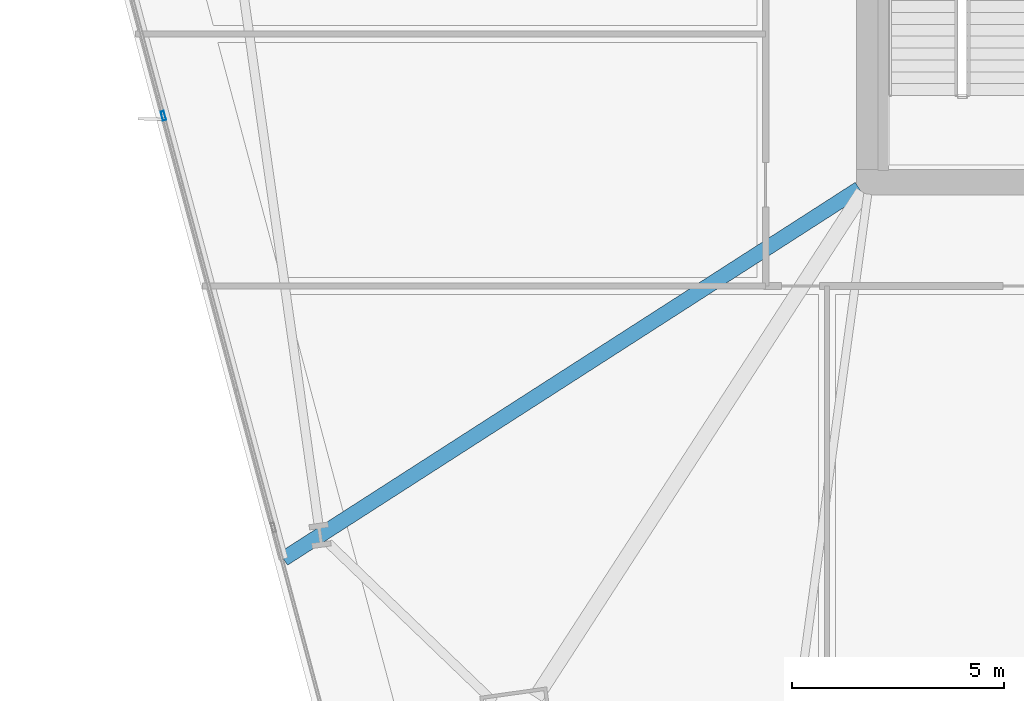
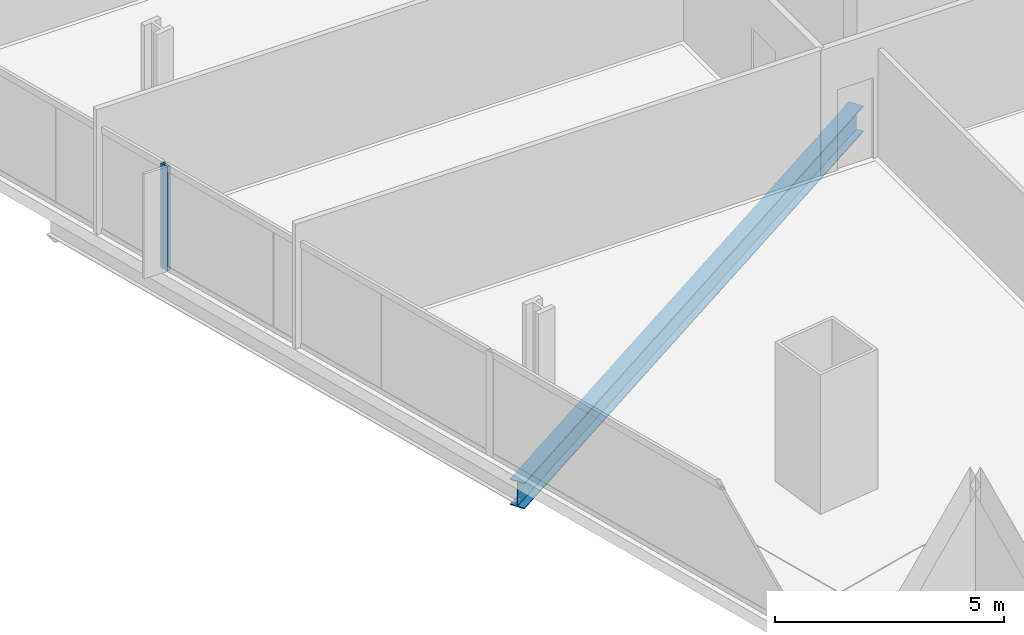
# One storey, part 5 of 33: 1 beam, 1 member, 1 element without a shape of its own.
"""IFC4 building model written with IfcOpenShell, lengths in metres."""

from ifc_helpers import new_model, si_unit, direction, frame, origin, origin_2d, place, context, subcontext, project, spatial, hollow_rectangle, i_section, extrude, material, material_profile, profile_set, type_object, element, aggregate, save


model = new_model("IFC4")

# Units and contexts
model_context = context("Model", 3, precision=1e-05, world=origin(), true_north=direction((0.0, 1.0)))
body_context = subcontext(model_context, "Body", "Model", "MODEL_VIEW")
ifc_project = project(units=[si_unit("LENGTHUNIT", "METRE"), si_unit("AREAUNIT", "SQUARE_METRE"), si_unit("VOLUMEUNIT", "CUBIC_METRE"), si_unit("PLANEANGLEUNIT", "RADIAN"), si_unit("MASSUNIT", "GRAM", prefix="KILO")], contexts=[model_context])

# Site, building, storey
site_placement = place(None, origin())
site = spatial("IfcSite", under=ifc_project, at=site_placement, CompositionType="ELEMENT")
building_placement = place(site_placement, origin())
building = spatial("IfcBuilding", under=site, at=building_placement, Name="Haldenkirk Collegiate Tower", CompositionType="ELEMENT")
storey_placement = place(building_placement, frame((0.0, 0.0, 77.699951171875)))
storey = spatial("IfcBuildingStorey", under=building, at=storey_placement, Name="L18", CompositionType="ELEMENT", Elevation=77.699951171875)

# Beam
ifc_material_1 = material(Name="Steel ASTM A992 Grade 50", Category="steel")
ifc_material_profile_1 = material_profile(ifc_material_1, i_section(OverallWidth=0.35498046875, OverallDepth=0.696044921875, WebThickness=0.015380859375, FlangeThickness=0.02490234375, at=origin_2d()), Name="W27X146")
ifc_profile_set_1 = profile_set([ifc_material_profile_1], Name="Steel ASTM A992 Grade 50")
beam_type = type_object("IfcBeamType", Name="BM-GIRDER-W27X146", PredefinedType="BEAM", material=ifc_profile_set_1)
beam_placement = place(storey_placement, frame((13.156494140625, 9.1005859375, -0.657958984375), z_axis=(0.84117553332, 0.540762167819, 0.0), x_axis=(-0.540762167819, 0.84117553332, 0.0)))
element("IfcBeam", 1, at=beam_placement, inside=storey, type_object=beam_type, Name="L18 primary floor girder 16", PredefinedType="BEAM", context=body_context, shape_type="SweptSolid", body=[
    extrude(i_section(OverallWidth=0.35498046875, OverallDepth=0.696044921875, WebThickness=0.015380859375, FlangeThickness=0.02490234375, at=origin_2d()), origin(), (0.0, 0.0, 1.0), 16.17724609375),
])

# Curtain wall, member
ifc_material_2 = material(Name="Anodised architectural bronze aluminium", Category="aluminium")
curtain_wall_type = type_object("IfcCurtainWallType", Name="CW-SYS1-CONVEX-LOW", PredefinedType="USERDEFINED", material=ifc_material_2)
curtain_wall_placement = place(storey_placement, origin())
curtain_wall = element("IfcCurtainWall", 2, at=curtain_wall_placement, inside=storey, type_object=curtain_wall_type, Name="L18 Lower tower convex bronze-framed unitised curtain wall", ObjectType="UNITISED CURTAIN WALL", PredefinedType="USERDEFINED")
ifc_material_profile_2 = material_profile(ifc_material_2, hollow_rectangle(XDim=0.080078125, YDim=0.219970703125, WallThickness=0.0048828125, at=origin_2d()), Name="CW-MUL-1A")
ifc_profile_set_2 = profile_set([ifc_material_profile_2], Name="Anodised architectural bronze aluminium")
member_type = type_object("IfcMemberType", Name="CW-MUL-1A", PredefinedType="MULLION", material=ifc_profile_set_2)
member_placement = place(storey_placement, frame((10.319580078125, 19.56982421875, 0.0), z_axis=(0.0, 0.0, 1.0), x_axis=(-0.966151932944, -0.257973724375, 0.0)))
member = element("IfcMember", 3, at=member_placement, type_object=member_type, Name="CW-1A mullion 3", PredefinedType="MULLION", context=body_context, shape_type="SweptSolid", body=[
    extrude(hollow_rectangle(XDim=0.080078125, YDim=0.219970703125, WallThickness=0.0048828125, at=origin_2d()), origin(), (0.0, 0.0, 1.0), 2.791015625),
])
aggregate(curtain_wall, [member])

save(model, "model.ifc")
